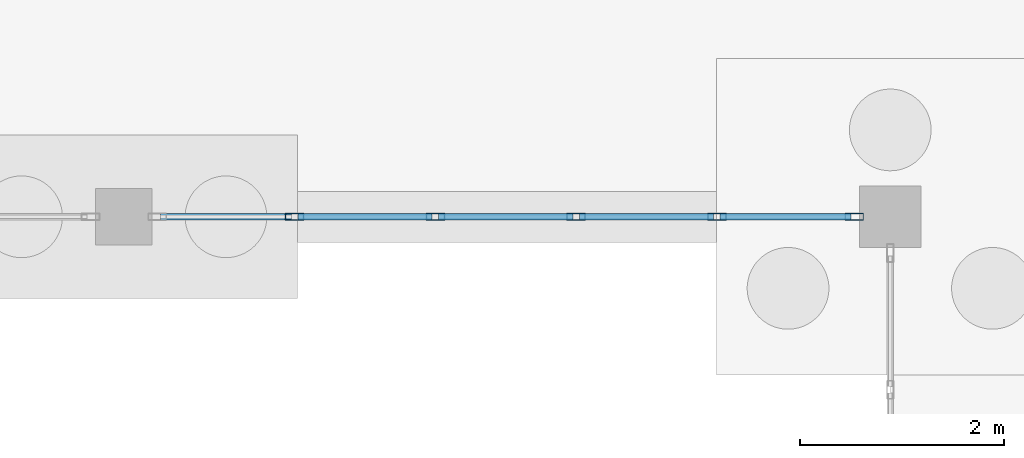
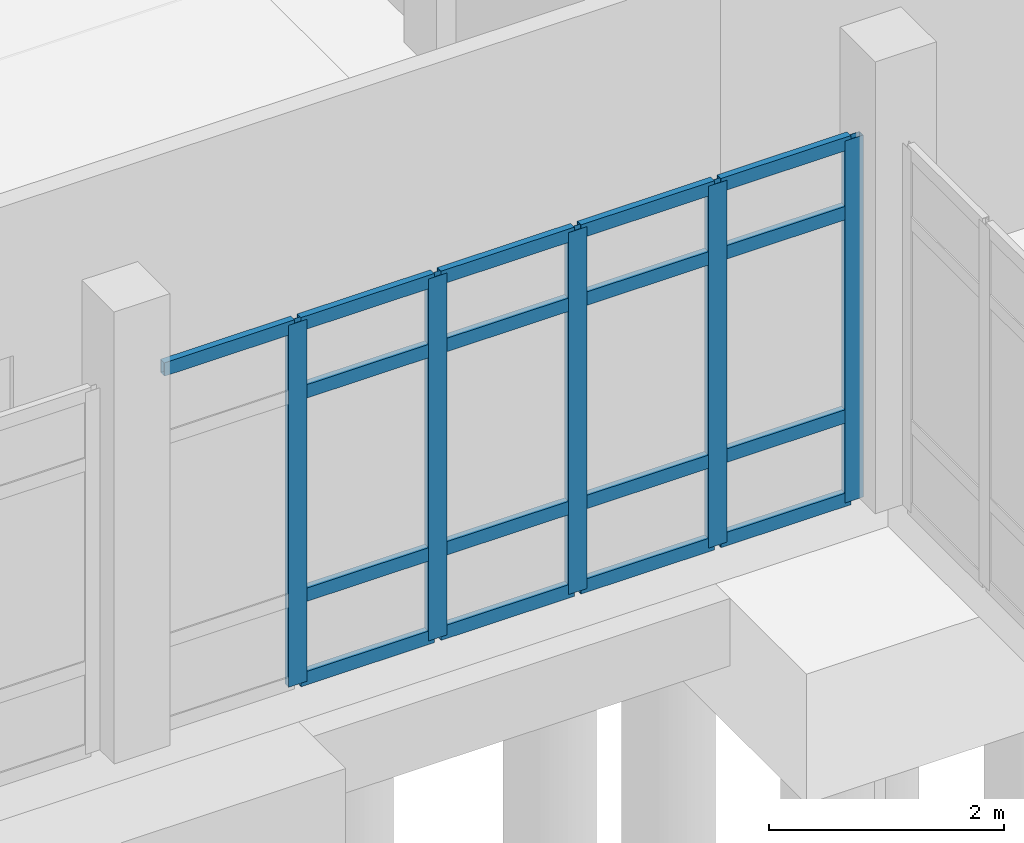
# One storey, part 45 of 173: 22 members, 1 element without a shape of its own.
"""IFC4 building model written with IfcOpenShell, lengths in metres."""

from ifc_helpers import new_model, si_unit, direction, frame, origin, origin_2d, place, context, subcontext, project, spatial, hollow_rectangle, extrude, material, layer, layer_set, material_profile, profile_set, type_object, element, aggregate, save


model = new_model("IFC4")

# Units and contexts
model_context = context("Model", 3, precision=1e-05, world=origin(), true_north=direction((0.0, 1.0)))
body_context = subcontext(model_context, "Body", "Model", "MODEL_VIEW")
ifc_project = project(units=[si_unit("LENGTHUNIT", "METRE"), si_unit("AREAUNIT", "SQUARE_METRE"), si_unit("VOLUMEUNIT", "CUBIC_METRE"), si_unit("PLANEANGLEUNIT", "RADIAN"), si_unit("MASSUNIT", "GRAM", prefix="KILO")], contexts=[model_context])

# Site, building, storey
site_placement = place(None, origin())
site = spatial("IfcSite", under=ifc_project, at=site_placement, CompositionType="ELEMENT")
building_placement = place(site_placement, origin())
building = spatial("IfcBuilding", under=site, at=building_placement, Name="Mawjan Specialist Oncology Clinic", CompositionType="ELEMENT")
storey_placement = place(building_placement, origin())
storey = spatial("IfcBuildingStorey", under=building, at=storey_placement, Name="L00", CompositionType="ELEMENT", Elevation=0.0)

# Curtain wall, members
ifc_material_1 = material(Name="Unitised spectrally selective aluminium curtain wall", Category="aluminium")
ifc_layer = layer(ifc_material_1, 0.179931640625, Name="Unitised spectrally selective aluminium curtain wall", Category="aluminium")
ifc_layer_set = layer_set([ifc_layer], Name="Unitised spectrally selective aluminium curtain wall")
curtain_wall_type = type_object("IfcCurtainWallType", Name="CW-06", PredefinedType="NOTDEFINED", material=ifc_layer_set)
curtain_wall_placement = place(storey_placement, origin())
curtain_wall = element("IfcCurtainWall", 1, at=curtain_wall_placement, inside=storey, type_object=curtain_wall_type, Name="L00 Unitised Curtain Wall CW-L00-060", PredefinedType="NOTDEFINED")
ifc_material_2 = material(Name="Thermally broken aluminium 6063-T6", Category="aluminium")
ifc_material_profile_1 = material_profile(ifc_material_2, hollow_rectangle(XDim=0.06494140625, YDim=0.179931640625, WallThickness=0.00390625, at=origin_2d()), Name="ALU MULLION 180x65x4", Category="aluminium")
ifc_profile_set_1 = profile_set([ifc_material_profile_1], Name="Thermally broken aluminium 6063-T6")
member_type_1 = type_object("IfcMemberType", Name="CW-M180", PredefinedType="MULLION", material=ifc_profile_set_1)
member_1_placement = place(storey_placement, frame((29.6474609375, 60.800048828125, 0.0), z_axis=(0.0, 0.0, 1.0), x_axis=(0.0, -1.0, 0.0)))
member_1 = element("IfcMember", 2, at=member_1_placement, type_object=member_type_1, Name="CW-06 mullion 1", PredefinedType="MULLION", context=body_context, shape_type="SweptSolid", body=[
    extrude(hollow_rectangle(XDim=0.06494140625, YDim=0.179931640625, WallThickness=0.00390625, at=origin_2d()), origin(), (0.0, 0.0, 1.0), 3.764892578125),
])
member_2_placement = place(storey_placement, frame((28.302978515625, 60.800048828125, 0.0), z_axis=(0.0, 0.0, 1.0), x_axis=(0.0, -1.0, 0.0)))
member_2 = element("IfcMember", 3, at=member_2_placement, type_object=member_type_1, Name="CW-06 mullion 2", PredefinedType="MULLION", context=body_context, shape_type="SweptSolid", body=[
    extrude(hollow_rectangle(XDim=0.06494140625, YDim=0.179931640625, WallThickness=0.00390625, at=origin_2d()), origin(), (0.0, 0.0, 1.0), 3.764892578125),
])
member_3_placement = place(storey_placement, frame((26.926025390625, 60.800048828125, 0.0), z_axis=(0.0, 0.0, 1.0), x_axis=(0.0, -1.0, 0.0)))
member_3 = element("IfcMember", 4, at=member_3_placement, type_object=member_type_1, Name="CW-06 mullion 3", PredefinedType="MULLION", context=body_context, shape_type="SweptSolid", body=[
    extrude(hollow_rectangle(XDim=0.06494140625, YDim=0.179931640625, WallThickness=0.00390625, at=origin_2d()), origin(), (0.0, 0.0, 1.0), 3.764892578125),
])
member_4_placement = place(storey_placement, frame((25.549072265625, 60.800048828125, 0.0), z_axis=(0.0, 0.0, 1.0), x_axis=(0.0, -1.0, 0.0)))
member_4 = element("IfcMember", 5, at=member_4_placement, type_object=member_type_1, Name="CW-06 mullion 4", PredefinedType="MULLION", context=body_context, shape_type="SweptSolid", body=[
    extrude(hollow_rectangle(XDim=0.06494140625, YDim=0.179931640625, WallThickness=0.00390625, at=origin_2d()), origin(), (0.0, 0.0, 1.0), 3.764892578125),
])
member_5_placement = place(storey_placement, frame((24.172119140625, 60.800048828125, 0.0), z_axis=(0.0, 0.0, 1.0), x_axis=(0.0, -1.0, 0.0)))
member_5 = element("IfcMember", 6, at=member_5_placement, type_object=member_type_1, Name="CW-06 mullion 5", PredefinedType="MULLION", context=body_context, shape_type="SweptSolid", body=[
    extrude(hollow_rectangle(XDim=0.06494140625, YDim=0.179931640625, WallThickness=0.00390625, at=origin_2d()), origin(), (0.0, 0.0, 1.0), 3.764892578125),
])
ifc_material_3 = material(Name="Thermally broken aluminium 6063-T6", Category="aluminium")
ifc_material_profile_2 = material_profile(ifc_material_3, hollow_rectangle(XDim=0.06494140625, YDim=0.139892578125, WallThickness=0.00390625, at=origin_2d()), Name="ALU TRANSOM 140x65x4", Category="aluminium")
ifc_profile_set_2 = profile_set([ifc_material_profile_2], Name="Thermally broken aluminium 6063-T6")
member_type_2 = type_object("IfcMemberType", Name="CW-T140", PredefinedType="USERDEFINED", material=ifc_profile_set_2)
member_6_placement = place(storey_placement, frame((29.614990234375, 60.800048828125, 0.032470703125), z_axis=(-1.0, 0.0, 0.0), x_axis=(0.0, -1.0, 0.0)))
member_6 = element("IfcMember", 7, at=member_6_placement, type_object=member_type_2, Name="CW-06 transom 1.1", ObjectType="TRANSOM", PredefinedType="USERDEFINED", context=body_context, shape_type="SweptSolid", body=[
    extrude(hollow_rectangle(XDim=0.06494140625, YDim=0.139892578125, WallThickness=0.00390625, at=origin_2d()), origin(), (0.0, 0.0, 1.0), 1.279541015625),
])
member_7_placement = place(storey_placement, frame((29.614990234375, 60.800048828125, 0.89990234375), z_axis=(-1.0, 0.0, 0.0), x_axis=(0.0, -1.0, 0.0)))
member_7 = element("IfcMember", 8, at=member_7_placement, type_object=member_type_2, Name="CW-06 transom 1.2", ObjectType="TRANSOM", PredefinedType="USERDEFINED", context=body_context, shape_type="SweptSolid", body=[
    extrude(hollow_rectangle(XDim=0.06494140625, YDim=0.139892578125, WallThickness=0.00390625, at=origin_2d()), origin(), (0.0, 0.0, 1.0), 1.279541015625),
])
member_8_placement = place(storey_placement, frame((29.614990234375, 60.800048828125, 3.014892578125), z_axis=(-1.0, 0.0, 0.0), x_axis=(0.0, -1.0, 0.0)))
member_8 = element("IfcMember", 9, at=member_8_placement, type_object=member_type_2, Name="CW-06 transom 1.3", ObjectType="TRANSOM", PredefinedType="USERDEFINED", context=body_context, shape_type="SweptSolid", body=[
    extrude(hollow_rectangle(XDim=0.06494140625, YDim=0.139892578125, WallThickness=0.00390625, at=origin_2d()), origin(), (0.0, 0.0, 1.0), 1.279541015625),
])
member_9_placement = place(storey_placement, frame((29.614990234375, 60.800048828125, 3.732421875), z_axis=(-1.0, 0.0, 0.0), x_axis=(0.0, -1.0, 0.0)))
member_9 = element("IfcMember", 10, at=member_9_placement, type_object=member_type_2, Name="CW-06 transom 1.4", ObjectType="TRANSOM", PredefinedType="USERDEFINED", context=body_context, shape_type="SweptSolid", body=[
    extrude(hollow_rectangle(XDim=0.06494140625, YDim=0.139892578125, WallThickness=0.00390625, at=origin_2d()), origin(), (0.0, 0.0, 1.0), 1.279541015625),
])
member_10_placement = place(storey_placement, frame((28.2705078125, 60.800048828125, 0.032470703125), z_axis=(-1.0, 0.0, 0.0), x_axis=(0.0, -1.0, 0.0)))
member_10 = element("IfcMember", 11, at=member_10_placement, type_object=member_type_2, Name="CW-06 transom 2.1", ObjectType="TRANSOM", PredefinedType="USERDEFINED", context=body_context, shape_type="SweptSolid", body=[
    extrude(hollow_rectangle(XDim=0.06494140625, YDim=0.139892578125, WallThickness=0.00390625, at=origin_2d()), origin(), (0.0, 0.0, 1.0), 1.31201171875),
])
member_11_placement = place(storey_placement, frame((28.2705078125, 60.800048828125, 0.89990234375), z_axis=(-1.0, 0.0, 0.0), x_axis=(0.0, -1.0, 0.0)))
member_11 = element("IfcMember", 12, at=member_11_placement, type_object=member_type_2, Name="CW-06 transom 2.2", ObjectType="TRANSOM", PredefinedType="USERDEFINED", context=body_context, shape_type="SweptSolid", body=[
    extrude(hollow_rectangle(XDim=0.06494140625, YDim=0.139892578125, WallThickness=0.00390625, at=origin_2d()), origin(), (0.0, 0.0, 1.0), 1.31201171875),
])
member_12_placement = place(storey_placement, frame((28.2705078125, 60.800048828125, 3.014892578125), z_axis=(-1.0, 0.0, 0.0), x_axis=(0.0, -1.0, 0.0)))
member_12 = element("IfcMember", 13, at=member_12_placement, type_object=member_type_2, Name="CW-06 transom 2.3", ObjectType="TRANSOM", PredefinedType="USERDEFINED", context=body_context, shape_type="SweptSolid", body=[
    extrude(hollow_rectangle(XDim=0.06494140625, YDim=0.139892578125, WallThickness=0.00390625, at=origin_2d()), origin(), (0.0, 0.0, 1.0), 1.31201171875),
])
member_13_placement = place(storey_placement, frame((28.2705078125, 60.800048828125, 3.732421875), z_axis=(-1.0, 0.0, 0.0), x_axis=(0.0, -1.0, 0.0)))
member_13 = element("IfcMember", 14, at=member_13_placement, type_object=member_type_2, Name="CW-06 transom 2.4", ObjectType="TRANSOM", PredefinedType="USERDEFINED", context=body_context, shape_type="SweptSolid", body=[
    extrude(hollow_rectangle(XDim=0.06494140625, YDim=0.139892578125, WallThickness=0.00390625, at=origin_2d()), origin(), (0.0, 0.0, 1.0), 1.31201171875),
])
member_14_placement = place(storey_placement, frame((26.8935546875, 60.800048828125, 0.032470703125), z_axis=(-1.0, 0.0, 0.0), x_axis=(0.0, -1.0, 0.0)))
member_14 = element("IfcMember", 15, at=member_14_placement, type_object=member_type_2, Name="CW-06 transom 3.1", ObjectType="TRANSOM", PredefinedType="USERDEFINED", context=body_context, shape_type="SweptSolid", body=[
    extrude(hollow_rectangle(XDim=0.06494140625, YDim=0.139892578125, WallThickness=0.00390625, at=origin_2d()), origin(), (0.0, 0.0, 1.0), 1.31201171875),
])
member_15_placement = place(storey_placement, frame((26.8935546875, 60.800048828125, 0.89990234375), z_axis=(-1.0, 0.0, 0.0), x_axis=(0.0, -1.0, 0.0)))
member_15 = element("IfcMember", 16, at=member_15_placement, type_object=member_type_2, Name="CW-06 transom 3.2", ObjectType="TRANSOM", PredefinedType="USERDEFINED", context=body_context, shape_type="SweptSolid", body=[
    extrude(hollow_rectangle(XDim=0.06494140625, YDim=0.139892578125, WallThickness=0.00390625, at=origin_2d()), origin(), (0.0, 0.0, 1.0), 1.31201171875),
])
member_16_placement = place(storey_placement, frame((26.8935546875, 60.800048828125, 3.014892578125), z_axis=(-1.0, 0.0, 0.0), x_axis=(0.0, -1.0, 0.0)))
member_16 = element("IfcMember", 17, at=member_16_placement, type_object=member_type_2, Name="CW-06 transom 3.3", ObjectType="TRANSOM", PredefinedType="USERDEFINED", context=body_context, shape_type="SweptSolid", body=[
    extrude(hollow_rectangle(XDim=0.06494140625, YDim=0.139892578125, WallThickness=0.00390625, at=origin_2d()), origin(), (0.0, 0.0, 1.0), 1.31201171875),
])
member_17_placement = place(storey_placement, frame((26.8935546875, 60.800048828125, 3.732421875), z_axis=(-1.0, 0.0, 0.0), x_axis=(0.0, -1.0, 0.0)))
member_17 = element("IfcMember", 18, at=member_17_placement, type_object=member_type_2, Name="CW-06 transom 3.4", ObjectType="TRANSOM", PredefinedType="USERDEFINED", context=body_context, shape_type="SweptSolid", body=[
    extrude(hollow_rectangle(XDim=0.06494140625, YDim=0.139892578125, WallThickness=0.00390625, at=origin_2d()), origin(), (0.0, 0.0, 1.0), 1.31201171875),
])
member_18_placement = place(storey_placement, frame((25.5166015625, 60.800048828125, 0.032470703125), z_axis=(-1.0, 0.0, 0.0), x_axis=(0.0, -1.0, 0.0)))
member_18 = element("IfcMember", 19, at=member_18_placement, type_object=member_type_2, Name="CW-06 transom 4.1", ObjectType="TRANSOM", PredefinedType="USERDEFINED", context=body_context, shape_type="SweptSolid", body=[
    extrude(hollow_rectangle(XDim=0.06494140625, YDim=0.139892578125, WallThickness=0.00390625, at=origin_2d()), origin(), (0.0, 0.0, 1.0), 1.31201171875),
])
member_19_placement = place(storey_placement, frame((25.5166015625, 60.800048828125, 0.89990234375), z_axis=(-1.0, 0.0, 0.0), x_axis=(0.0, -1.0, 0.0)))
member_19 = element("IfcMember", 20, at=member_19_placement, type_object=member_type_2, Name="CW-06 transom 4.2", ObjectType="TRANSOM", PredefinedType="USERDEFINED", context=body_context, shape_type="SweptSolid", body=[
    extrude(hollow_rectangle(XDim=0.06494140625, YDim=0.139892578125, WallThickness=0.00390625, at=origin_2d()), origin(), (0.0, 0.0, 1.0), 1.31201171875),
])
member_20_placement = place(storey_placement, frame((25.5166015625, 60.800048828125, 3.014892578125), z_axis=(-1.0, 0.0, 0.0), x_axis=(0.0, -1.0, 0.0)))
member_20 = element("IfcMember", 21, at=member_20_placement, type_object=member_type_2, Name="CW-06 transom 4.3", ObjectType="TRANSOM", PredefinedType="USERDEFINED", context=body_context, shape_type="SweptSolid", body=[
    extrude(hollow_rectangle(XDim=0.06494140625, YDim=0.139892578125, WallThickness=0.00390625, at=origin_2d()), origin(), (0.0, 0.0, 1.0), 1.31201171875),
])
member_21_placement = place(storey_placement, frame((25.5166015625, 60.800048828125, 3.732421875), z_axis=(-1.0, 0.0, 0.0), x_axis=(0.0, -1.0, 0.0)))
member_21 = element("IfcMember", 22, at=member_21_placement, type_object=member_type_2, Name="CW-06 transom 4.4", ObjectType="TRANSOM", PredefinedType="USERDEFINED", context=body_context, shape_type="SweptSolid", body=[
    extrude(hollow_rectangle(XDim=0.06494140625, YDim=0.139892578125, WallThickness=0.00390625, at=origin_2d()), origin(), (0.0, 0.0, 1.0), 1.31201171875),
])
member_22_placement = place(storey_placement, frame((24.139404296875, 60.800048828125, 3.732421875), z_axis=(-1.0, 0.0, 0.0), x_axis=(0.0, -1.0, 0.0)))
member_22 = element("IfcMember", 23, at=member_22_placement, type_object=member_type_2, Name="CW-06 transom 5.4", ObjectType="TRANSOM", PredefinedType="USERDEFINED", context=body_context, shape_type="SweptSolid", body=[
    extrude(hollow_rectangle(XDim=0.06494140625, YDim=0.139892578125, WallThickness=0.00390625, at=origin_2d()), origin(), (0.0, 0.0, 1.0), 1.279296875),
])
aggregate(curtain_wall, [member_1, member_2, member_3, member_4, member_5, member_6, member_7, member_8, member_9, member_10, member_11, member_12, member_13, member_14, member_15, member_16, member_17, member_18, member_19, member_20, member_21, member_22])

save(model, "model.ifc")
